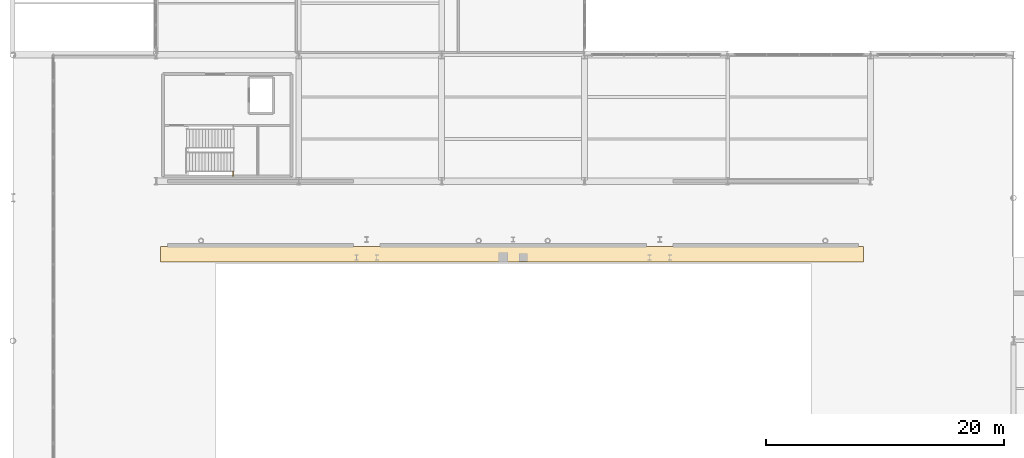
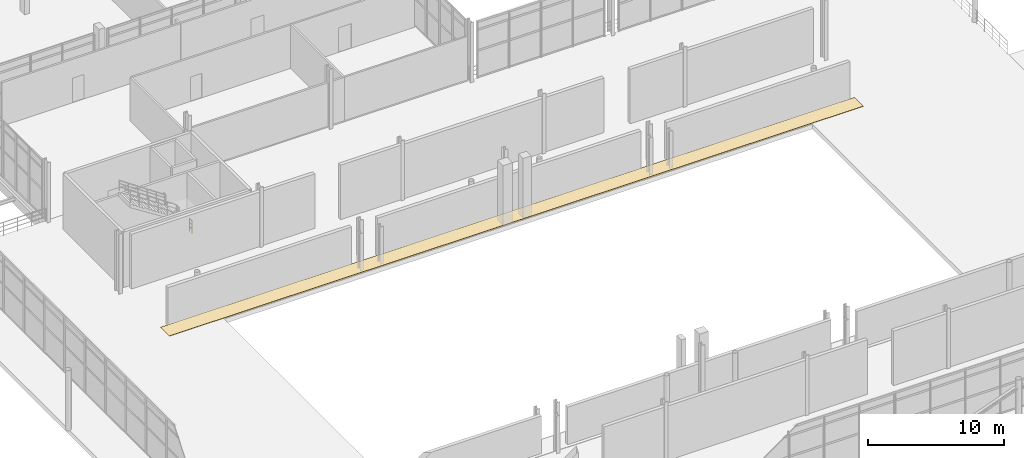
# One storey, part 72 of 85: 1 covering, 1 railing.
"""IFC4 building model written with IfcOpenShell, lengths in metres."""

import ifcopenshell
import ifcopenshell.guid

model = None  # the IFC model being written
_history = None  # IfcOwnerHistory: only IFC2X3 demands one
_inside = {}  # id of a spatial element -> (the spatial element, [elements in it])
_under = {}  # id of a project, library or spatial element -> (it, [spatial elements below it])
_declared = {}  # id of a project -> (the project, [libraries it declares])
_typed = {}  # id of a type object -> (the type object, [elements of that type])
_made_of = {}  # id of a material, layer set ... -> (it, [elements and type objects made of it])


def new_model(schema):
    """Start an empty IFC model of exactly this schema.

    Asked for "IFC4X3", IfcOpenShell would pick the latest addendum, in which some entities
    have other attributes; the version numbers below select the first issue.
    IFC2X3 requires an IfcOwnerHistory on every rooted entity: one is made here for all.
    """
    global model, _history
    if schema == "IFC4X3":
        model = ifcopenshell.file(schema_version=(4, 3, 0, 0))
    else:
        model = ifcopenshell.file(schema=schema)
    _inside.clear()
    _under.clear()
    _declared.clear()
    _typed.clear()
    _made_of.clear()
    _history = None
    if model.schema == "IFC2X3":
        org = make("IfcOrganization", Name="unknown")
        user = make(
            "IfcPersonAndOrganization",
            ThePerson=make("IfcPerson", FamilyName="unknown"),
            TheOrganization=org,
        )
        app = make(
            "IfcApplication",
            ApplicationDeveloper=org,
            Version="unknown",
            ApplicationFullName="unknown",
            ApplicationIdentifier="unknown",
        )
        _history = make(
            "IfcOwnerHistory",
            OwningUser=user,
            OwningApplication=app,
            ChangeAction="ADDED",
            CreationDate=0,
        )
    return model


def make(cls, **values):
    """One entity of the class cls with the attributes given. An attribute that is None is left unset."""
    return model.create_entity(
        cls, **{name: value for name, value in values.items() if value is not None}
    )


def rooted(cls, **values):
    """An entity with a GlobalId (a new one), such as an element, a storey or a relation."""
    return make(cls, GlobalId=ifcopenshell.guid.new(), OwnerHistory=_history, **values)


def si_unit(unit_type, name, prefix=None):
    """IfcSIUnit, for example si_unit("LENGTHUNIT", "METRE", prefix="MILLI")."""
    return make("IfcSIUnit", UnitType=unit_type, Prefix=prefix, Name=name)


def assignment(units):
    """IfcUnitAssignment: the units of a project."""
    return None if units is None else make("IfcUnitAssignment", Units=units)


def point(xyz):
    """IfcCartesianPoint."""
    return None if xyz is None else make("IfcCartesianPoint", Coordinates=xyz)


def direction(xyz):
    """IfcDirection."""
    return None if xyz is None else make("IfcDirection", DirectionRatios=xyz)


def frame(location, z_axis=None, x_axis=None):
    """IfcAxis2Placement3D, a coordinate frame: its origin and axes. An axis left out is left unset."""
    return make(
        "IfcAxis2Placement3D",
        Location=point(location),
        Axis=direction(z_axis),
        RefDirection=direction(x_axis),
    )


def frame_2d(location, x_axis=None):
    """IfcAxis2Placement2D, a coordinate frame in the plane: its origin and x axis."""
    return make(
        "IfcAxis2Placement2D", Location=point(location), RefDirection=direction(x_axis)
    )


def origin():
    """The frame at (0, 0, 0) with its axes left unset."""
    return frame((0.0, 0.0, 0.0))


def origin_2d():
    """The frame at (0, 0) in the plane with its x axis left unset."""
    return frame_2d((0.0, 0.0))


def place(relative_to, where):
    """IfcLocalPlacement: puts the frame where relative to a parent placement (None: the world)."""
    return make(
        "IfcLocalPlacement", PlacementRelTo=relative_to, RelativePlacement=where
    )


def context(
    kind, dimensions, precision=None, world=None, true_north=None, identifier=None
):
    """IfcGeometricRepresentationContext, for example the 3D "Model" context."""
    return make(
        "IfcGeometricRepresentationContext",
        ContextIdentifier=identifier,
        ContextType=kind,
        CoordinateSpaceDimension=dimensions,
        Precision=precision,
        WorldCoordinateSystem=world,
        TrueNorth=true_north,
    )


def subcontext(parent, identifier, kind, view, scale=None):
    """IfcGeometricRepresentationSubContext, for example "Body" below "Model"."""
    return make(
        "IfcGeometricRepresentationSubContext",
        ContextIdentifier=identifier,
        ContextType=kind,
        ParentContext=parent,
        TargetScale=scale,
        TargetView=view,
    )


def project(units=None, contexts=None):
    """IfcProject with its units and contexts."""
    return rooted(
        "IfcProject",
        Name="project",
        RepresentationContexts=contexts,
        UnitsInContext=assignment(units),
    )


def spatial(cls, under=None, at=None, **own):
    """A site, building, storey or space (cls), placed at a placement, below another one or the project."""
    s = rooted(cls, ObjectPlacement=at, **own)
    if under is not None:
        _under.setdefault(under.id(), (under, []))[1].append(s)
    return s


def profile(cls, at=None, kind="AREA", **sizes):
    """A parametric profile (cls). Its sizes go by their IFC names, for example OverallWidth=200.0."""
    return make(cls, ProfileType=kind, Position=at, **sizes)


def rectangle(**sizes):
    """IfcRectangleProfileDef."""
    return profile("IfcRectangleProfileDef", **sizes)


def circle(**sizes):
    """IfcCircleProfileDef."""
    return profile("IfcCircleProfileDef", **sizes)


def extrude(swept, where, along, depth):
    """IfcExtrudedAreaSolid: the profile swept, set in the frame where, extruded along a direction by depth."""
    return make(
        "IfcExtrudedAreaSolid",
        SweptArea=swept,
        Position=where,
        ExtrudedDirection=direction(along),
        Depth=depth,
    )


def shape(context_of_items, identifier, shape_type, items):
    """IfcShapeRepresentation: the items that make up one representation, for example the "Body"."""
    return make(
        "IfcShapeRepresentation",
        ContextOfItems=context_of_items,
        RepresentationIdentifier=identifier,
        RepresentationType=shape_type,
        Items=items,
    )


def material(Name=None, Category=None):
    """IfcMaterial."""
    return make("IfcMaterial", Name=Name, Category=Category)


def layer(
    of_material, thickness, ventilated=None, Name=None, Category=None, Priority=None
):
    """IfcMaterialLayer: one layer of a wall or slab, of a material (None: an air gap)."""
    return make(
        "IfcMaterialLayer",
        Material=of_material,
        LayerThickness=thickness,
        IsVentilated=ventilated,
        Name=Name,
        Category=Category,
        Priority=Priority,
    )


def layer_set(layers, Name=None):
    """IfcMaterialLayerSet."""
    return make("IfcMaterialLayerSet", MaterialLayers=layers, LayerSetName=Name)


def made_of(thing, what):
    """Note that an element or type object is made of a material, layer set ...; save() writes the relation."""
    if what is not None:
        _made_of.setdefault(what.id(), (what, []))[1].append(thing)
    return thing


def type_object(cls, material=None, **own):
    """A type object (cls), such as IfcWallType, which elements share."""
    return made_of(rooted(cls, **own), material)


def element(
    cls,
    number,
    at=None,
    inside=None,
    cuts=None,
    type_object=None,
    material=None,
    context=None,
    identifier="Body",
    shape_type=None,
    held_by="IfcProductDefinitionShape",
    body=None,
    shapes=None,
    **own,
):
    """One element of the class cls, such as IfcWall. Its Tag is "e" and its number.

    at: its placement. inside: the storey or other place that contains it. cuts: it is an
    opening in that element (IfcRelVoidsElement). A single representation is given by context,
    identifier, shape_type and body (its items); several are given by shapes. held_by: the class
    of the entity that holds the representations. save() writes the other relations.
    """
    e = rooted(cls, Tag="e%d" % number, ObjectPlacement=at, **own)
    if body is not None:
        shapes = [shape(context, identifier, shape_type, body)]
    if shapes is not None:
        e.Representation = make(held_by, Representations=shapes)
    if inside is not None:
        _inside.setdefault(inside.id(), (inside, []))[1].append(e)
    if cuts is not None:
        rooted(
            "IfcRelVoidsElement", RelatingBuildingElement=cuts, RelatedOpeningElement=e
        )
    if type_object is not None:
        _typed.setdefault(type_object.id(), (type_object, []))[1].append(e)
    return made_of(e, material)


def aggregate(whole, parts):
    """IfcRelAggregates: a whole, such as a stair, and the parts it consists of."""
    return rooted("IfcRelAggregates", RelatingObject=whole, RelatedObjects=parts)


def save(model, path):
    """Write the relations noted so far, then the file.

    IfcRelAggregates (storeys below a building ...), IfcRelContainedInSpatialStructure (elements
    in a storey), IfcRelDefinesByType, IfcRelAssociatesMaterial and IfcRelDeclares: one each for
    every whole, place, type object, material and project.
    """
    for whole, parts in _under.values():
        aggregate(whole, parts)
    for where, things in _inside.values():
        rooted(
            "IfcRelContainedInSpatialStructure",
            RelatedElements=things,
            RelatingStructure=where,
        )
    for kind, things in _typed.values():
        rooted("IfcRelDefinesByType", RelatedObjects=things, RelatingType=kind)
    for what, things in _made_of.values():
        rooted("IfcRelAssociatesMaterial", RelatedObjects=things, RelatingMaterial=what)
    for by, libraries in _declared.values():
        rooted("IfcRelDeclares", RelatingContext=by, RelatedDefinitions=libraries)
    model.write(path)


model = new_model("IFC4")

# Units and contexts
model_context = context("Model", 3, precision=1e-05, world=origin(), true_north=direction((0.0, 1.0)))
body_context = subcontext(model_context, "Body", "Model", "MODEL_VIEW")
ifc_project = project(units=[si_unit("LENGTHUNIT", "METRE"), si_unit("AREAUNIT", "SQUARE_METRE"), si_unit("VOLUMEUNIT", "CUBIC_METRE"), si_unit("PLANEANGLEUNIT", "RADIAN"), si_unit("MASSUNIT", "GRAM", prefix="KILO"), si_unit("THERMODYNAMICTEMPERATUREUNIT", "KELVIN"), si_unit("POWERUNIT", "WATT")], contexts=[model_context])

# Site, building, storey
site_placement = place(None, origin())
site = spatial("IfcSite", under=ifc_project, at=site_placement, CompositionType="ELEMENT")
building_placement = place(site_placement, origin())
building = spatial("IfcBuilding", under=site, at=building_placement, Name="Solmara Park Aquatics Centre", CompositionType="ELEMENT")
storey_placement = place(building_placement, origin())
storey = spatial("IfcBuildingStorey", under=building, at=storey_placement, Name="L00", CompositionType="ELEMENT", Elevation=0.0)

# Covering
ifc_material_1 = material(Name="Anti-Slip Seafoam Ceramic Pool Deck Tile", Category="ceramic")
ifc_layer_1 = layer(ifc_material_1, 0.030029296875, Name="Anti-Slip Seafoam Ceramic Pool Deck Tile")
ifc_layer_set_1 = layer_set([ifc_layer_1], Name="Anti-Slip Seafoam Ceramic Pool Deck Tile")
covering_type = type_object("IfcCoveringType", Name="ARC-COV-TILE", PredefinedType="FLOORING", material=ifc_layer_set_1)
covering_placement = place(storey_placement, frame((54.5, 55.85009765625, 0.0), z_axis=(0.0, 0.0, 1.0), x_axis=(1.0, 0.0, 0.0)))
element("IfcCovering", 1, at=covering_placement, inside=storey, type_object=covering_type, Name="Seafoam Anti-Slip Pool Deck Tile 02", PredefinedType="FLOORING", context=body_context, shape_type="SweptSolid", body=[
    extrude(rectangle(XDim=59.0, YDim=1.300048828125, at=origin_2d()), origin(), (0.0, 0.0, 1.0), 0.030029296875),
])

# Railing
ifc_material_2 = material(Name="Brushed Stainless Steel Guardrail", Category="steel")
ifc_layer_2 = layer(ifc_material_2, 0.050048828125, Name="Brushed Stainless Steel Guardrail")
ifc_layer_set_2 = layer_set([ifc_layer_2], Name="Brushed Stainless Steel Guardrail")
railing_type = type_object("IfcRailingType", Name="ARC-RL-STR110", PredefinedType="GUARDRAIL", material=ifc_layer_set_2)
railing_placement = place(storey_placement, frame((31.094970703125, 62.43994140625, 2.699951171875)))
element("IfcRailing", 2, at=railing_placement, inside=storey, type_object=railing_type, Name="ST-04 Protected Exit Stair (L00 to L01) Half-Landing South Slot Guardrail", PredefinedType="GUARDRAIL", context=body_context, shape_type="SweptSolid", body=[
    extrude(circle(Radius=0.02392578125, at=origin_2d()), frame((0.0, 0.0, 1.15576171875), z_axis=(0.0, 1.0, 0.0), x_axis=(-1.0, 0.0, 0.0)), (0.0, 0.0, 1.0), 0.360107421875),
    extrude(circle(Radius=0.01416015625, at=origin_2d()), frame((0.0, 0.0, 0.4130859375), z_axis=(0.0, 1.0, 0.0), x_axis=(-1.0, 0.0, 0.0)), (0.0, 0.0, 1.0), 0.360107421875),
    extrude(circle(Radius=0.01416015625, at=origin_2d()), frame((0.0, 0.0, 0.80224609375), z_axis=(0.0, 1.0, 0.0), x_axis=(-1.0, 0.0, 0.0)), (0.0, 0.0, 1.0), 0.360107421875),
    extrude(circle(Radius=0.02099609375, at=origin_2d()), origin(), (0.0, 0.0, 1.0), 1.1318359375),
    extrude(circle(Radius=0.02099609375, at=origin_2d()), frame((0.0, 0.360107421875, 0.0)), (0.0, 0.0, 1.0), 1.1318359375),
])

save(model, "model.ifc")
